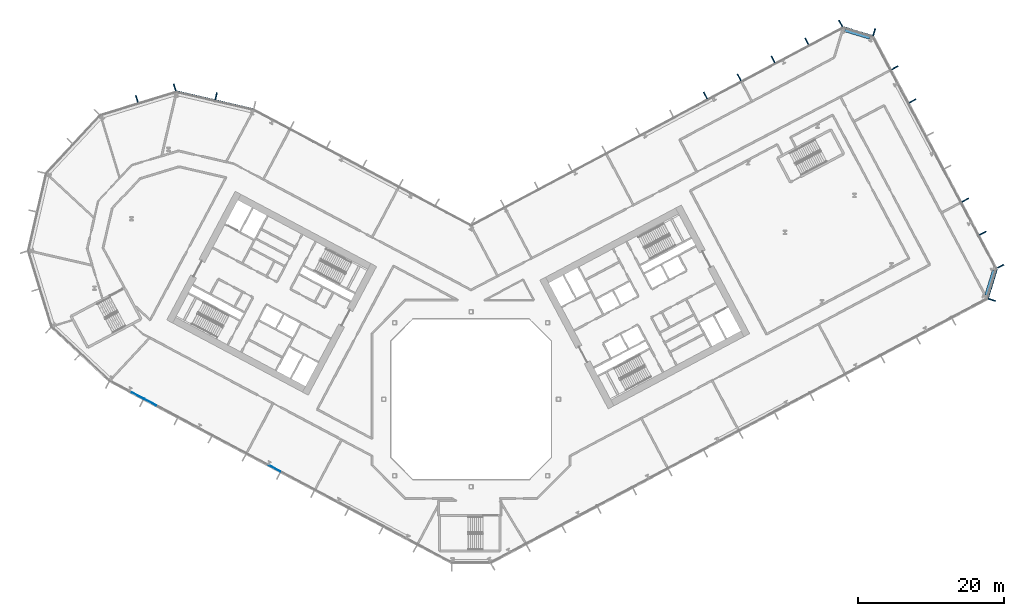
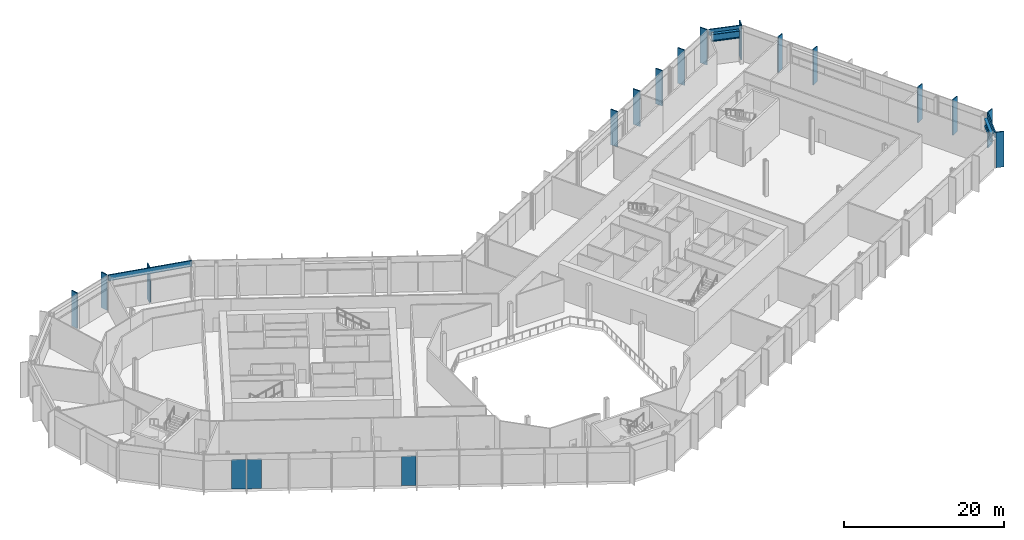
# One storey, part 8 of 31: 18 members, 3 plates, 2 beams, 7 elements without a shape of their own.
"""IFC4 building model written with IfcOpenShell, lengths in metres."""

from ifc_helpers import new_model, si_unit, direction, frame, origin, origin_2d, place, context, subcontext, project, spatial, rectangle, i_section, extrude, material, layer, layer_set, material_profile, profile_set, type_object, element, aggregate, save


model = new_model("IFC4")

# Units and contexts
model_context = context("Model", 3, precision=1e-05, world=origin(), true_north=direction((0.0, 1.0)))
body_context = subcontext(model_context, "Body", "Model", "MODEL_VIEW")
ifc_project = project(units=[si_unit("LENGTHUNIT", "METRE"), si_unit("AREAUNIT", "SQUARE_METRE"), si_unit("VOLUMEUNIT", "CUBIC_METRE"), si_unit("PLANEANGLEUNIT", "RADIAN"), si_unit("MASSUNIT", "GRAM", prefix="KILO")], contexts=[model_context])

# Site, building, storey
site_placement = place(None, origin())
site = spatial("IfcSite", under=ifc_project, at=site_placement, CompositionType="ELEMENT")
building_placement = place(site_placement, origin())
building = spatial("IfcBuilding", under=site, at=building_placement, Name="Cormorant Relay Tower", CompositionType="ELEMENT")
storey_placement = place(building_placement, frame((0.0, 0.0, 12.199951171875)))
storey = spatial("IfcBuildingStorey", under=building, at=storey_placement, Name="L02", CompositionType="ELEMENT", Elevation=12.199951171875)

# Curtain wall, member
ifc_material_1 = material(Name="Aluminium 6063-T6 anodised bronze", Category="aluminium")
ifc_layer_1 = layer(ifc_material_1, 0.235107421875)
ifc_layer_set_1 = layer_set([ifc_layer_1], Name="CW6 data hall curtain wall with mineral wool panels")
curtain_wall_type = type_object("IfcCurtainWallType", Name="CW6 data hall curtain wall with mineral wool panels", PredefinedType="NOTDEFINED", material=ifc_layer_set_1)
curtain_wall_1_placement = place(storey_placement, origin())
curtain_wall_1 = element("IfcCurtainWall", 1, at=curtain_wall_1_placement, inside=storey, type_object=curtain_wall_type, Name="CW6 curtain wall 3", PredefinedType="NOTDEFINED")
ifc_material_2 = material(Name="Aluminium 6063-T6 anodised bronze", Category="aluminium")
ifc_material_profile_1 = material_profile(ifc_material_2, rectangle(XDim=0.14990234375, YDim=1.0, at=origin_2d()), Name="AL 150x1000")
ifc_profile_set_1 = profile_set([ifc_material_profile_1], Name="Aluminium 6063-T6 anodised bronze")
member_type_1 = type_object("IfcMemberType", Name="CW6 bronze fin mullion 150 x 1000", PredefinedType="MULLION", material=ifc_profile_set_1)
member_1_placement = place(storey_placement, frame((71.485107421875, 13.63671875, 0.0), z_axis=(0.0, 0.0, 1.0), x_axis=(0.292371704723, 0.956304755963, 0.0)))
member_1 = element("IfcMember", 2, at=member_1_placement, type_object=member_type_1, Name="CW6 fin 3.1", PredefinedType="MULLION", context=body_context, shape_type="SweptSolid", body=[
    extrude(rectangle(XDim=0.14990234375, YDim=1.0, at=origin_2d()), origin(), (0.0, 0.0, 1.0), 5.400146484375),
])

# Curtain wall, members
curtain_wall_2_placement = place(storey_placement, origin())
curtain_wall_2 = element("IfcCurtainWall", 3, at=curtain_wall_2_placement, inside=storey, type_object=curtain_wall_type, Name="CW6 curtain wall 4", PredefinedType="NOTDEFINED")
member_2_placement = place(storey_placement, frame((72.671630859375, 18.25390625, 0.0), z_axis=(0.0, 0.0, 1.0), x_axis=(-0.469471562786, 0.882947592859, 0.0)))
member_2 = element("IfcMember", 4, at=member_2_placement, type_object=member_type_1, Name="CW6 fin 4.1", PredefinedType="MULLION", context=body_context, shape_type="SweptSolid", body=[
    extrude(rectangle(XDim=0.14990234375, YDim=1.0, at=origin_2d()), origin(), (0.0, 0.0, 1.0), 5.400146484375),
])
member_3_placement = place(storey_placement, frame((70.25732421875, 22.794921875, 0.0), z_axis=(0.0, 0.0, 1.0), x_axis=(-0.469471562786, 0.882947592859, 0.0)))
member_3 = element("IfcMember", 5, at=member_3_placement, type_object=member_type_1, Name="CW6 fin 4.2", PredefinedType="MULLION", context=body_context, shape_type="SweptSolid", body=[
    extrude(rectangle(XDim=0.14990234375, YDim=1.0, at=origin_2d()), origin(), (0.0, 0.0, 1.0), 5.400146484375),
])
member_4_placement = place(storey_placement, frame((67.8427734375, 27.335693359375, 0.0), z_axis=(0.0, 0.0, 1.0), x_axis=(-0.469471562786, 0.882947592859, 0.0)))
member_4 = element("IfcMember", 6, at=member_4_placement, type_object=member_type_1, Name="CW6 fin 4.3", PredefinedType="MULLION", context=body_context, shape_type="SweptSolid", body=[
    extrude(rectangle(XDim=0.14990234375, YDim=1.0, at=origin_2d()), origin(), (0.0, 0.0, 1.0), 5.400146484375),
])
member_5_placement = place(storey_placement, frame((60.599609375, 40.958251953125, 0.0), z_axis=(0.0, 0.0, 1.0), x_axis=(-0.469471562786, 0.882947592859, 0.0)))
member_5 = element("IfcMember", 7, at=member_5_placement, type_object=member_type_1, Name="CW6 fin 4.6", PredefinedType="MULLION", context=body_context, shape_type="SweptSolid", body=[
    extrude(rectangle(XDim=0.14990234375, YDim=1.0, at=origin_2d()), origin(), (0.0, 0.0, 1.0), 5.400146484375),
])
member_6_placement = place(storey_placement, frame((58.18505859375, 45.499267578125, 0.0), z_axis=(0.0, 0.0, 1.0), x_axis=(-0.469471562786, 0.882947592859, 0.0)))
member_6 = element("IfcMember", 8, at=member_6_placement, type_object=member_type_1, Name="CW6 fin 4.7", PredefinedType="MULLION", context=body_context, shape_type="SweptSolid", body=[
    extrude(rectangle(XDim=0.14990234375, YDim=1.0, at=origin_2d()), origin(), (0.0, 0.0, 1.0), 5.400146484375),
])
aggregate(curtain_wall_2, [member_2, member_3, member_4, member_5, member_6])

# Curtain wall, member
curtain_wall_3_placement = place(storey_placement, origin())
curtain_wall_3 = element("IfcCurtainWall", 9, at=curtain_wall_3_placement, inside=storey, type_object=curtain_wall_type, Name="CW6 curtain wall 5", PredefinedType="NOTDEFINED")
member_7_placement = place(storey_placement, frame((55.336669921875, 50.39794921875, 0.0), z_axis=(0.0, 0.0, 1.0), x_axis=(-0.956304755963, 0.292371704723, 0.0)))
member_7 = element("IfcMember", 10, at=member_7_placement, type_object=member_type_1, Name="CW6 fin 5.1", PredefinedType="MULLION", context=body_context, shape_type="SweptSolid", body=[
    extrude(rectangle(XDim=0.14990234375, YDim=1.0, at=origin_2d()), origin(), (0.0, 0.0, 1.0), 5.400146484375),
])

# Curtain wall, members
curtain_wall_4_placement = place(storey_placement, origin())
curtain_wall_4 = element("IfcCurtainWall", 11, at=curtain_wall_4_placement, inside=storey, type_object=curtain_wall_type, Name="CW6 curtain wall 6", PredefinedType="NOTDEFINED")
member_8_placement = place(storey_placement, frame((50.719482421875, 51.58447265625, 0.0), z_axis=(0.0, 0.0, 1.0), x_axis=(-0.882947592859, -0.469471562786, 0.0)))
member_8 = element("IfcMember", 12, at=member_8_placement, type_object=member_type_1, Name="CW6 fin 6.1", PredefinedType="MULLION", context=body_context, shape_type="SweptSolid", body=[
    extrude(rectangle(XDim=0.14990234375, YDim=1.0, at=origin_2d()), origin(), (0.0, 0.0, 1.0), 5.400146484375),
])
member_9_placement = place(storey_placement, frame((46.0771484375, 49.1162109375, 0.0), z_axis=(0.0, 0.0, 1.0), x_axis=(-0.882947592859, -0.469471562786, 0.0)))
member_9 = element("IfcMember", 13, at=member_9_placement, type_object=member_type_1, Name="CW6 fin 6.2", PredefinedType="MULLION", context=body_context, shape_type="SweptSolid", body=[
    extrude(rectangle(XDim=0.14990234375, YDim=1.0, at=origin_2d()), origin(), (0.0, 0.0, 1.0), 5.400146484375),
])
member_10_placement = place(storey_placement, frame((41.43505859375, 46.647705078125, 0.0), z_axis=(0.0, 0.0, 1.0), x_axis=(-0.882947592859, -0.469471562786, 0.0)))
member_10 = element("IfcMember", 14, at=member_10_placement, type_object=member_type_1, Name="CW6 fin 6.3", PredefinedType="MULLION", context=body_context, shape_type="SweptSolid", body=[
    extrude(rectangle(XDim=0.14990234375, YDim=1.0, at=origin_2d()), origin(), (0.0, 0.0, 1.0), 5.400146484375),
])
member_11_placement = place(storey_placement, frame((36.792724609375, 44.179443359375, 0.0), z_axis=(0.0, 0.0, 1.0), x_axis=(-0.882947592859, -0.469471562786, 0.0)))
member_11 = element("IfcMember", 15, at=member_11_placement, type_object=member_type_1, Name="CW6 fin 6.4", PredefinedType="MULLION", context=body_context, shape_type="SweptSolid", body=[
    extrude(rectangle(XDim=0.14990234375, YDim=1.0, at=origin_2d()), origin(), (0.0, 0.0, 1.0), 5.400146484375),
])
member_12_placement = place(storey_placement, frame((32.150390625, 41.711181640625, 0.0), z_axis=(0.0, 0.0, 1.0), x_axis=(-0.882947592859, -0.469471562786, 0.0)))
member_12 = element("IfcMember", 16, at=member_12_placement, type_object=member_type_1, Name="CW6 fin 6.5", PredefinedType="MULLION", context=body_context, shape_type="SweptSolid", body=[
    extrude(rectangle(XDim=0.14990234375, YDim=1.0, at=origin_2d()), origin(), (0.0, 0.0, 1.0), 5.400146484375),
])
aggregate(curtain_wall_4, [member_8, member_9, member_10, member_11, member_12])

# Curtain wall, member
curtain_wall_5_placement = place(storey_placement, origin())
curtain_wall_5 = element("IfcCurtainWall", 17, at=curtain_wall_5_placement, inside=storey, type_object=curtain_wall_type, Name="CW6 curtain wall 8", PredefinedType="NOTDEFINED")
member_13_placement = place(storey_placement, frame((-35.00439453125, 41.60693359375, 0.0), z_axis=(0.0, 0.0, 1.0), x_axis=(-0.974370064785, 0.224951054344, 0.0)))
member_13 = element("IfcMember", 18, at=member_13_placement, type_object=member_type_1, Name="CW6 fin 8.2", PredefinedType="MULLION", context=body_context, shape_type="SweptSolid", body=[
    extrude(rectangle(XDim=0.14990234375, YDim=1.0, at=origin_2d()), origin(), (0.0, 0.0, 1.0), 5.400146484375),
])

# Curtain wall, members
curtain_wall_6_placement = place(storey_placement, origin())
curtain_wall_6 = element("IfcCurtainWall", 19, at=curtain_wall_6_placement, inside=storey, type_object=curtain_wall_type, Name="CW6 curtain wall 9", PredefinedType="NOTDEFINED")
member_14_placement = place(storey_placement, frame((-40.680419921875, 42.81640625, 0.0), z_axis=(0.0, 0.0, 1.0), x_axis=(-0.956304755963, -0.292371704723, 0.0)))
member_14 = element("IfcMember", 20, at=member_14_placement, type_object=member_type_1, Name="CW6 fin 9.1", PredefinedType="MULLION", context=body_context, shape_type="SweptSolid", body=[
    extrude(rectangle(XDim=0.14990234375, YDim=1.0, at=origin_2d()), origin(), (0.0, 0.0, 1.0), 5.400146484375),
])
member_15_placement = place(storey_placement, frame((-45.878173828125, 41.227294921875, 0.0), z_axis=(0.0, 0.0, 1.0), x_axis=(-0.956304755963, -0.292371704723, 0.0)))
member_15 = element("IfcMember", 21, at=member_15_placement, type_object=member_type_1, Name="CW6 fin 9.2", PredefinedType="MULLION", context=body_context, shape_type="SweptSolid", body=[
    extrude(rectangle(XDim=0.14990234375, YDim=1.0, at=origin_2d()), origin(), (0.0, 0.0, 1.0), 5.400146484375),
])
aggregate(curtain_wall_6, [member_14, member_15])

# Member
ifc_material_3 = material(Name="Aluminium 6063-T6 anodised bronze", Category="aluminium")
ifc_material_profile_2 = material_profile(ifc_material_3, rectangle(XDim=0.159912109375, YDim=0.89990234375, at=origin_2d()), Name="AL 160x900")
ifc_profile_set_2 = profile_set([ifc_material_profile_2], Name="Aluminium 6063-T6 anodised bronze")
member_type_2 = type_object("IfcMemberType", Name="CW6 bronze transom 160 x 900", PredefinedType="USERDEFINED", material=ifc_profile_set_2)
member_16_placement = place(storey_placement, frame((70.930419921875, 13.806396484375, 4.949951171875), z_axis=(0.292391046905, 0.95629884225, 0.0), x_axis=(-0.95629884225, 0.292391046905, 0.0)))
member_16 = element("IfcMember", 22, at=member_16_placement, type_object=member_type_2, Name="CW6 transom 3", ObjectType="TRANSOM", PredefinedType="USERDEFINED", context=body_context, shape_type="SweptSolid", body=[
    extrude(rectangle(XDim=0.159912109375, YDim=0.89990234375, at=origin_2d()), origin(), (0.0, 0.0, 1.0), 4.242431640625),
])

aggregate(curtain_wall_1, [member_1, member_16])

member_17_placement = place(storey_placement, frame((55.1669921875, 49.84326171875, 4.949951171875), z_axis=(-0.95629884225, 0.292391046905, 0.0), x_axis=(-0.292391046905, -0.95629884225, 0.0)))
member_17 = element("IfcMember", 23, at=member_17_placement, type_object=member_type_2, Name="CW6 transom 5", ObjectType="TRANSOM", PredefinedType="USERDEFINED", context=body_context, shape_type="SweptSolid", body=[
    extrude(rectangle(XDim=0.159912109375, YDim=0.89990234375, at=origin_2d()), origin(), (0.0, 0.0, 1.0), 4.242431640625),
])

aggregate(curtain_wall_3, [member_7, member_17])

member_18_placement = place(storey_placement, frame((-29.8388671875, 39.819091796875, 4.949951171875), z_axis=(-0.974369993916, 0.22495136131, 0.0), x_axis=(-0.22495136131, -0.974369993916, 0.0)))
member_18 = element("IfcMember", 24, at=member_18_placement, type_object=member_type_2, Name="CW6 transom 8", ObjectType="TRANSOM", PredefinedType="USERDEFINED", context=body_context, shape_type="SweptSolid", body=[
    extrude(rectangle(XDim=0.159912109375, YDim=0.89990234375, at=origin_2d()), origin(), (0.0, 0.0, 1.0), 10.870361328125),
])

aggregate(curtain_wall_5, [member_13, member_18])

# Beams
ifc_material_4 = material(Name="Steel ASTM A992 (Fy 345 MPa)", Category="steel")
ifc_material_profile_3 = material_profile(ifc_material_4, i_section(OverallWidth=0.408935546875, OverallDepth=1.137939453125, WebThickness=0.031005859375, FlangeThickness=0.05517578125, FilletRadius=0.02001953125, at=origin_2d()), Name="W1100x607")
ifc_profile_set_3 = profile_set([ifc_material_profile_3], Name="Steel ASTM A992 (Fy 345 MPa)")
beam_type = type_object("IfcBeamType", Name="Spandrel W1100x607", PredefinedType="SPANDREL", material=ifc_profile_set_3)
beam_1_placement = place(storey_placement, frame((70.697998046875, 14.275390625, 4.381103515625), z_axis=(0.292400100269, 0.956296074112, 0.0), x_axis=(-0.956296074112, 0.292400100269, 0.0)))
element("IfcBeam", 25, at=beam_1_placement, inside=storey, type_object=beam_type, Name="Spandrel beam L02-003", PredefinedType="SPANDREL", context=body_context, shape_type="SweptSolid", body=[
    extrude(i_section(OverallWidth=0.408935546875, OverallDepth=1.137939453125, WebThickness=0.031005859375, FlangeThickness=0.05517578125, FilletRadius=0.02001953125, at=origin_2d()), origin(), (0.0, 0.0, 1.0), 3.552734375),
])
beam_2_placement = place(storey_placement, frame((54.697998046875, 49.61083984375, 4.381103515625), z_axis=(-0.956309414252, 0.292356467713, 0.0), x_axis=(-0.292356467713, -0.956309414252, 0.0)))
element("IfcBeam", 26, at=beam_2_placement, inside=storey, type_object=beam_type, Name="Spandrel beam L02-005", PredefinedType="SPANDREL", context=body_context, shape_type="SweptSolid", body=[
    extrude(i_section(OverallWidth=0.408935546875, OverallDepth=1.137939453125, WebThickness=0.031005859375, FlangeThickness=0.05517578125, FilletRadius=0.02001953125, at=origin_2d()), origin(), (0.0, 0.0, 1.0), 3.552490234375),
])

# Curtain wall, plates
curtain_wall_7_placement = place(storey_placement, origin())
curtain_wall_7 = element("IfcCurtainWall", 27, at=curtain_wall_7_placement, inside=storey, type_object=curtain_wall_type, Name="CW6 curtain wall 14", PredefinedType="NOTDEFINED")
ifc_material_5 = material(Name="Tinted triple-glazed laminated unit")
ifc_layer_2 = layer(ifc_material_5, 0.074951171875)
ifc_layer_set_2 = layer_set([ifc_layer_2], Name="CW6 triple-glazed vision unit 1800 module")
plate_type = type_object("IfcPlateType", Name="CW6 triple-glazed vision unit 1800 module", PredefinedType="CURTAIN_PANEL", material=ifc_layer_set_2)
plate_1_placement = place(storey_placement, frame((-45.77587890625, 0.512939453125, 0.0), z_axis=(0.0, 0.0, 1.0), x_axis=(0.882947592859, -0.469471562786, 0.0)))
plate_1 = element("IfcPlate", 28, at=plate_1_placement, type_object=plate_type, Name="CW6 panel V01", PredefinedType="CURTAIN_PANEL", context=body_context, shape_type="SweptSolid", body=[
    extrude(rectangle(XDim=1.800048828125, YDim=0.074951171875, at=origin_2d()), origin(), (0.0, 0.0, 1.0), 4.5),
])
plate_2_placement = place(storey_placement, frame((-44.053955078125, -0.402587890625, 0.0), z_axis=(0.0, 0.0, 1.0), x_axis=(0.882947592859, -0.469471562786, 0.0)))
plate_2 = element("IfcPlate", 29, at=plate_2_placement, type_object=plate_type, Name="CW6 panel V02", PredefinedType="CURTAIN_PANEL", context=body_context, shape_type="SweptSolid", body=[
    extrude(rectangle(XDim=1.800048828125, YDim=0.074951171875, at=origin_2d()), origin(), (0.0, 0.0, 1.0), 4.5),
])
plate_3_placement = place(storey_placement, frame((-26.998779296875, -9.470947265625, 0.0), z_axis=(0.0, 0.0, 1.0), x_axis=(0.882947592859, -0.469471562786, 0.0)))
plate_3 = element("IfcPlate", 30, at=plate_3_placement, type_object=plate_type, Name="CW6 panel V05", PredefinedType="CURTAIN_PANEL", context=body_context, shape_type="SweptSolid", body=[
    extrude(rectangle(XDim=1.800048828125, YDim=0.074951171875, at=origin_2d()), origin(), (0.0, 0.0, 1.0), 4.5),
])
aggregate(curtain_wall_7, [plate_1, plate_2, plate_3])

save(model, "model.ifc")
